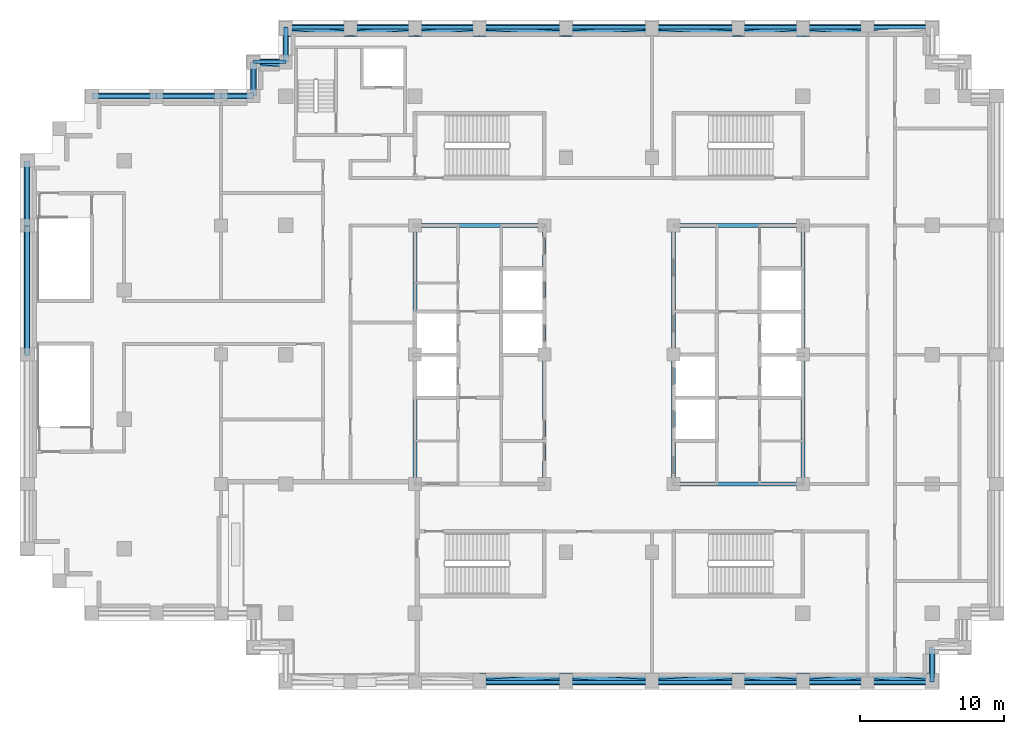
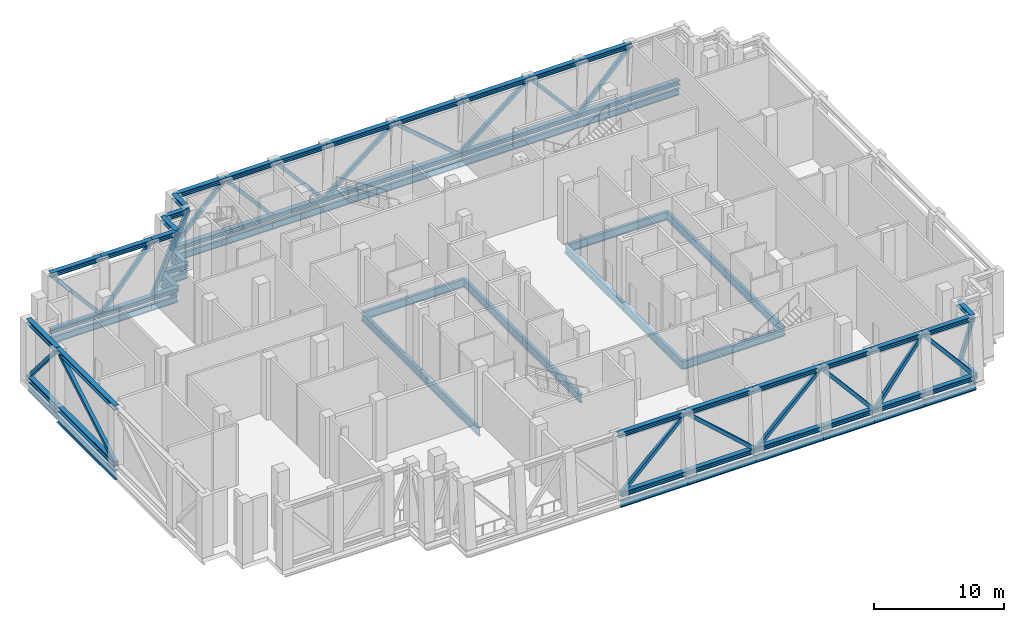
# One storey, part 2 of 10: 70 members, 35 beams.
"""IFC4 building model written with IfcOpenShell, lengths in metres."""

from ifc_helpers import new_model, si_unit, direction, frame, origin, origin_2d, place, context, subcontext, project, spatial, hollow_rectangle, i_section, extrude, material, material_profile, profile_set, type_object, element, save


model = new_model("IFC4")

# Units and contexts
model_context = context("Model", 3, precision=1e-05, world=origin(), true_north=direction((0.0, 1.0)))
body_context = subcontext(model_context, "Body", "Model", "MODEL_VIEW")
ifc_project = project(units=[si_unit("LENGTHUNIT", "METRE"), si_unit("AREAUNIT", "SQUARE_METRE"), si_unit("VOLUMEUNIT", "CUBIC_METRE"), si_unit("PLANEANGLEUNIT", "RADIAN"), si_unit("MASSUNIT", "GRAM", prefix="KILO")], contexts=[model_context])

# Site, building, storey
site_placement = place(None, origin())
site = spatial("IfcSite", under=ifc_project, at=site_placement, CompositionType="ELEMENT")
building_placement = place(site_placement, origin())
building = spatial("IfcBuilding", under=site, at=building_placement, Name="Corbelhall Arena Tower", CompositionType="ELEMENT")
storey_placement = place(building_placement, frame((0.0, 0.0, 236.0)))
storey = spatial("IfcBuildingStorey", under=building, at=storey_placement, Name="L50", CompositionType="ELEMENT", Elevation=236.0)

# Beams
ifc_material_1 = material(Name="Steel ASTM A992 Gr50", Category="steel")
ifc_material_profile_1 = material_profile(ifc_material_1, i_section(OverallWidth=0.2666015625, OverallDepth=0.761962890625, WebThickness=0.014404296875, FlangeThickness=0.021484375, at=origin_2d()))
ifc_profile_set_1 = profile_set([ifc_material_profile_1], Name="Steel ASTM A992 Gr50")
beam_type_1 = type_object("IfcBeamType", Name="ST-BEAM-W30x116", PredefinedType="BEAM", material=ifc_profile_set_1)
for number, where, z_axis, x_axis, name in (
    (1, (-13.5, -9.0, -0.781494140625), (0.0, 1.0, 0.0), (-1.0, 0.0, 0.0), "Beam CEW 1"),
    (2, (-13.5, 0.0, -0.781494140625), (0.0, 1.0, 0.0), (-1.0, 0.0, 0.0), "Beam CEW 2"),
    (3, (-4.5, -9.0, -0.781494140625), (0.0, 1.0, 0.0), (-1.0, 0.0, 0.0), "Beam CEW 3"),
    (4, (-4.5, 0.0, -0.781494140625), (0.0, 1.0, 0.0), (-1.0, 0.0, 0.0), "Beam CEW 4"),
    (5, (-13.5, 9.0, -0.781494140625), (1.0, 0.0, 0.0), (0.0, 1.0, 0.0), "Beam CEW 6"),
    (6, (4.5, -9.0, -0.781494140625), (0.0, 1.0, 0.0), (-1.0, 0.0, 0.0), "Beam CEE 7"),
    (7, (4.5, 0.0, -0.781494140625), (0.0, 1.0, 0.0), (-1.0, 0.0, 0.0), "Beam CEE 8"),
    (8, (13.5, -9.0, -0.781494140625), (0.0, 1.0, 0.0), (-1.0, 0.0, 0.0), "Beam CEE 9"),
    (9, (13.5, 0.0, -0.781494140625), (0.0, 1.0, 0.0), (-1.0, 0.0, 0.0), "Beam CEE 10"),
    (10, (4.5, -9.0, -0.781494140625), (1.0, 0.0, 0.0), (0.0, 1.0, 0.0), "Beam CEE 11"),
    (11, (4.5, 9.0, -0.781494140625), (1.0, 0.0, 0.0), (0.0, 1.0, 0.0), "Beam CEE 12"),
):
    element("IfcBeam", number, at=place(storey_placement, frame(where, z_axis=z_axis, x_axis=x_axis)), inside=storey, type_object=beam_type_1, Name=name, PredefinedType="BEAM", context=body_context, shape_type="SweptSolid", body=[
        extrude(i_section(OverallWidth=0.2666015625, OverallDepth=0.761962890625, WebThickness=0.014404296875, FlangeThickness=0.021484375, at=origin_2d()), origin(), (0.0, 0.0, 1.0), 9.0),
    ])

# Members
ifc_material_2 = material(Name="Steel ASTM A913 Gr65", Category="steel")
ifc_material_profile_2 = material_profile(ifc_material_2, i_section(OverallWidth=0.411376953125, OverallDepth=0.434326171875, WebThickness=0.035888671875, FlangeThickness=0.057373046875, at=origin_2d()))
ifc_profile_set_2 = profile_set([ifc_material_profile_2], Name="Steel ASTM A913 Gr65")
member_type_1 = type_object("IfcMemberType", Name="ST-CHORD-W14x311", PredefinedType="CHORD", material=ifc_profile_set_2)
for number, where, z_axis, x_axis, name in (
    (12, (-40.5, 0.0, 0.21728515625), (0.0, 1.0, 0.0), (-1.0, 0.0, 0.0), "Truss chord BC 1"),
    (13, (-40.5, 0.0, 5.5029296875), (0.0, 1.0, 0.0), (-1.0, 0.0, 0.0), "Truss chord TC 1"),
):
    element("IfcMember", number, at=place(storey_placement, frame(where, z_axis=z_axis, x_axis=x_axis)), inside=storey, type_object=member_type_1, Name=name, PredefinedType="CHORD", context=body_context, shape_type="SweptSolid", body=[
        extrude(i_section(OverallWidth=0.411376953125, OverallDepth=0.434326171875, WebThickness=0.035888671875, FlangeThickness=0.057373046875, at=origin_2d()), origin(), (0.0, 0.0, 1.0), 9.0),
    ])
for number, where, z_axis, x_axis, name in (
    (14, (-40.5, 9.0, 0.21728515625), (0.0, 1.0, 0.0), (-1.0, 0.0, 0.0), "Truss chord BC 2"),
    (15, (-40.5, 9.0, 5.5029296875), (0.0, 1.0, 0.0), (-1.0, 0.0, 0.0), "Truss chord TC 2"),
    (16, (-31.5, 18.0, 0.21728515625), (1.0, 0.0, 0.0), (0.0, 1.0, 0.0), "Truss chord BC 5"),
    (17, (-31.5, 18.0, 5.5029296875), (1.0, 0.0, 0.0), (0.0, 1.0, 0.0), "Truss chord TC 5"),
    (18, (-36.0, 18.0, 0.21728515625), (1.0, 0.0, 0.0), (0.0, 1.0, 0.0), "Truss chord BC 6"),
    (19, (-36.0, 18.0, 5.5029296875), (1.0, 0.0, 0.0), (0.0, 1.0, 0.0), "Truss chord TC 6"),
):
    element("IfcMember", number, at=place(storey_placement, frame(where, z_axis=z_axis, x_axis=x_axis)), inside=storey, type_object=member_type_1, Name=name, PredefinedType="CHORD", context=body_context, shape_type="SweptSolid", body=[
        extrude(i_section(OverallWidth=0.411376953125, OverallDepth=0.434326171875, WebThickness=0.035888671875, FlangeThickness=0.057373046875, at=origin_2d()), origin(), (0.0, 0.0, 1.0), 4.5),
    ])
for number, where, z_axis, x_axis, name in (
    (20, (3.0, 22.782958984375, 0.21728515625), (1.0, 0.0, 0.0), (0.0, 1.0, 0.0), "Truss chord BC 13"),
    (21, (3.0, 22.3671875, 5.5029296875), (1.0, 0.0, 0.0), (0.0, 1.0, 0.0), "Truss chord TC 13"),
):
    element("IfcMember", number, at=place(storey_placement, frame(where, z_axis=z_axis, x_axis=x_axis)), inside=storey, type_object=member_type_1, Name=name, PredefinedType="CHORD", context=body_context, shape_type="SweptSolid", body=[
        extrude(i_section(OverallWidth=0.411376953125, OverallDepth=0.434326171875, WebThickness=0.035888671875, FlangeThickness=0.057373046875, at=origin_2d()), origin(), (0.0, 0.0, 1.0), 6.0),
    ])
for number, where, z_axis, x_axis, name in (
    (22, (9.0, 22.782958984375, 0.21728515625), (1.0, 0.0, 0.0), (0.0, 1.0, 0.0), "Truss chord BC 14"),
    (23, (9.0, 22.3671875, 5.5029296875), (1.0, 0.0, 0.0), (0.0, 1.0, 0.0), "Truss chord TC 14"),
    (24, (13.5, 22.782958984375, 0.21728515625), (1.0, 0.0, 0.0), (0.0, 1.0, 0.0), "Truss chord BC 15"),
    (25, (13.5, 22.3671875, 5.5029296875), (1.0, 0.0, 0.0), (0.0, 1.0, 0.0), "Truss chord TC 15"),
    (26, (18.0, 22.782958984375, 0.21728515625), (1.0, 0.0, 0.0), (0.0, 1.0, 0.0), "Truss chord BC 16"),
):
    element("IfcMember", number, at=place(storey_placement, frame(where, z_axis=z_axis, x_axis=x_axis)), inside=storey, type_object=member_type_1, Name=name, PredefinedType="CHORD", context=body_context, shape_type="SweptSolid", body=[
        extrude(i_section(OverallWidth=0.411376953125, OverallDepth=0.434326171875, WebThickness=0.035888671875, FlangeThickness=0.057373046875, at=origin_2d()), origin(), (0.0, 0.0, 1.0), 4.5),
    ])
for number, where, z_axis, x_axis, name in (
    (27, (-3.0, 22.782958984375, 0.21728515625), (1.0, 0.0, 0.0), (0.0, 1.0, 0.0), "Truss chord BC 18"),
    (28, (-3.0, 22.3671875, 5.5029296875), (1.0, 0.0, 0.0), (0.0, 1.0, 0.0), "Truss chord TC 18"),
    (29, (-9.0, 22.782958984375, 0.21728515625), (1.0, 0.0, 0.0), (0.0, 1.0, 0.0), "Truss chord BC 19"),
    (30, (-9.0, 22.3671875, 5.5029296875), (1.0, 0.0, 0.0), (0.0, 1.0, 0.0), "Truss chord TC 19"),
):
    element("IfcMember", number, at=place(storey_placement, frame(where, z_axis=z_axis, x_axis=x_axis)), inside=storey, type_object=member_type_1, Name=name, PredefinedType="CHORD", context=body_context, shape_type="SweptSolid", body=[
        extrude(i_section(OverallWidth=0.411376953125, OverallDepth=0.434326171875, WebThickness=0.035888671875, FlangeThickness=0.057373046875, at=origin_2d()), origin(), (0.0, 0.0, 1.0), 6.0),
    ])
for number, where, z_axis, x_axis, name in (
    (31, (-13.5, 22.782958984375, 0.21728515625), (1.0, 0.0, 0.0), (0.0, 1.0, 0.0), "Truss chord BC 20"),
    (32, (-13.5, 22.3671875, 5.5029296875), (1.0, 0.0, 0.0), (0.0, 1.0, 0.0), "Truss chord TC 20"),
    (33, (-18.0, 22.782958984375, 0.21728515625), (1.0, 0.0, 0.0), (0.0, 1.0, 0.0), "Truss chord BC 21"),
    (34, (-18.0, 22.3671875, 5.5029296875), (1.0, 0.0, 0.0), (0.0, 1.0, 0.0), "Truss chord TC 21"),
    (35, (-22.5, 22.782958984375, 0.21728515625), (1.0, 0.0, 0.0), (0.0, 1.0, 0.0), "Truss chord BC 22"),
    (36, (-22.5, 22.3671875, 5.5029296875), (1.0, 0.0, 0.0), (0.0, 1.0, 0.0), "Truss chord TC 22"),
):
    element("IfcMember", number, at=place(storey_placement, frame(where, z_axis=z_axis, x_axis=x_axis)), inside=storey, type_object=member_type_1, Name=name, PredefinedType="CHORD", context=body_context, shape_type="SweptSolid", body=[
        extrude(i_section(OverallWidth=0.411376953125, OverallDepth=0.434326171875, WebThickness=0.035888671875, FlangeThickness=0.057373046875, at=origin_2d()), origin(), (0.0, 0.0, 1.0), 4.5),
    ])
for number, where, z_axis, x_axis, name in (
    (37, (3.0, -22.782958984375, 0.21728515625), (-1.0, 0.0, 0.0), (0.0, -1.0, 0.0), "Truss chord BC 23"),
    (38, (3.0, -22.3671875, 5.5029296875), (-1.0, 0.0, 0.0), (0.0, -1.0, 0.0), "Truss chord TC 23"),
    (39, (9.0, -22.782958984375, 0.21728515625), (-1.0, 0.0, 0.0), (0.0, -1.0, 0.0), "Truss chord BC 24"),
    (40, (9.0, -22.3671875, 5.5029296875), (-1.0, 0.0, 0.0), (0.0, -1.0, 0.0), "Truss chord TC 24"),
):
    element("IfcMember", number, at=place(storey_placement, frame(where, z_axis=z_axis, x_axis=x_axis)), inside=storey, type_object=member_type_1, Name=name, PredefinedType="CHORD", context=body_context, shape_type="SweptSolid", body=[
        extrude(i_section(OverallWidth=0.411376953125, OverallDepth=0.434326171875, WebThickness=0.035888671875, FlangeThickness=0.057373046875, at=origin_2d()), origin(), (0.0, 0.0, 1.0), 6.0),
    ])
for number, where, z_axis, x_axis, name in (
    (41, (13.5, -22.782958984375, 0.21728515625), (-1.0, 0.0, 0.0), (0.0, -1.0, 0.0), "Truss chord BC 25"),
    (42, (13.5, -22.3671875, 5.5029296875), (-1.0, 0.0, 0.0), (0.0, -1.0, 0.0), "Truss chord TC 25"),
    (43, (18.0, -22.782958984375, 0.21728515625), (-1.0, 0.0, 0.0), (0.0, -1.0, 0.0), "Truss chord BC 26"),
    (44, (18.0, -22.3671875, 5.5029296875), (-1.0, 0.0, 0.0), (0.0, -1.0, 0.0), "Truss chord TC 26"),
    (45, (22.5, -22.782958984375, 0.21728515625), (-1.0, 0.0, 0.0), (0.0, -1.0, 0.0), "Truss chord BC 27"),
    (46, (22.5, -22.3671875, 5.5029296875), (-1.0, 0.0, 0.0), (0.0, -1.0, 0.0), "Truss chord TC 27"),
):
    element("IfcMember", number, at=place(storey_placement, frame(where, z_axis=z_axis, x_axis=x_axis)), inside=storey, type_object=member_type_1, Name=name, PredefinedType="CHORD", context=body_context, shape_type="SweptSolid", body=[
        extrude(i_section(OverallWidth=0.411376953125, OverallDepth=0.434326171875, WebThickness=0.035888671875, FlangeThickness=0.057373046875, at=origin_2d()), origin(), (0.0, 0.0, 1.0), 4.5),
    ])
for number, where, z_axis, x_axis, name in (
    (47, (-3.0, -22.782958984375, 0.21728515625), (-1.0, 0.0, 0.0), (0.0, -1.0, 0.0), "Truss chord BC 28"),
    (48, (-3.0, -22.3671875, 5.5029296875), (-1.0, 0.0, 0.0), (0.0, -1.0, 0.0), "Truss chord TC 28"),
):
    element("IfcMember", number, at=place(storey_placement, frame(where, z_axis=z_axis, x_axis=x_axis)), inside=storey, type_object=member_type_1, Name=name, PredefinedType="CHORD", context=body_context, shape_type="SweptSolid", body=[
        extrude(i_section(OverallWidth=0.411376953125, OverallDepth=0.434326171875, WebThickness=0.035888671875, FlangeThickness=0.057373046875, at=origin_2d()), origin(), (0.0, 0.0, 1.0), 6.0),
    ])
for number, where, z_axis, x_axis, name in (
    (49, (-27.0, 18.0, 0.21728515625), (1.0, 0.0, 0.0), (0.0, 1.0, 0.0), "Truss chord BC 33"),
    (50, (-27.0, 18.0, 5.5029296875), (1.0, 0.0, 0.0), (0.0, 1.0, 0.0), "Truss chord TC 33"),
):
    element("IfcMember", number, at=place(storey_placement, frame(where, z_axis=z_axis, x_axis=x_axis)), inside=storey, type_object=member_type_1, Name=name, PredefinedType="CHORD", context=body_context, shape_type="SweptSolid", body=[
        extrude(i_section(OverallWidth=0.411376953125, OverallDepth=0.434326171875, WebThickness=0.035888671875, FlangeThickness=0.057373046875, at=origin_2d()), origin(), (0.0, 0.0, 1.0), 2.25),
    ])
member_1_placement = place(storey_placement, frame((-22.5, 20.391357421875, 0.21728515625), z_axis=(0.0, 1.0, 0.0), x_axis=(-1.0, 0.0, 0.0)))
element("IfcMember", 51, at=member_1_placement, inside=storey, type_object=member_type_1, Name="Truss chord BC 38", PredefinedType="CHORD", context=body_context, shape_type="SweptSolid", body=[
    extrude(i_section(OverallWidth=0.411376953125, OverallDepth=0.434326171875, WebThickness=0.035888671875, FlangeThickness=0.057373046875, at=origin_2d()), origin(), (0.0, 0.0, 1.0), 2.3916015625),
])
member_2_placement = place(storey_placement, frame((-22.5, 20.18359375, 5.5029296875), z_axis=(0.0, 1.0, 0.0), x_axis=(-1.0, 0.0, 0.0)))
element("IfcMember", 52, at=member_2_placement, inside=storey, type_object=member_type_1, Name="Truss chord TC 38", PredefinedType="CHORD", context=body_context, shape_type="SweptSolid", body=[
    extrude(i_section(OverallWidth=0.411376953125, OverallDepth=0.434326171875, WebThickness=0.035888671875, FlangeThickness=0.057373046875, at=origin_2d()), origin(), (0.0, 0.0, 1.0), 2.18359375),
])
for number, where, z_axis, x_axis, name in (
    (53, (-24.75, 20.391357421875, 0.21728515625), (1.0, 0.0, 0.0), (0.0, 1.0, 0.0), "Truss chord BC 39"),
    (54, (-24.75, 20.18359375, 5.5029296875), (1.0, 0.0, 0.0), (0.0, 1.0, 0.0), "Truss chord TC 39"),
):
    element("IfcMember", number, at=place(storey_placement, frame(where, z_axis=z_axis, x_axis=x_axis)), inside=storey, type_object=member_type_1, Name=name, PredefinedType="CHORD", context=body_context, shape_type="SweptSolid", body=[
        extrude(i_section(OverallWidth=0.411376953125, OverallDepth=0.434326171875, WebThickness=0.035888671875, FlangeThickness=0.057373046875, at=origin_2d()), origin(), (0.0, 0.0, 1.0), 2.25),
    ])
member_3_placement = place(storey_placement, frame((-24.75, 18.0, 0.21728515625), z_axis=(0.0, 1.0, 0.0), x_axis=(-1.0, 0.0, 0.0)))
element("IfcMember", 55, at=member_3_placement, inside=storey, type_object=member_type_1, Name="Truss chord BC 40", PredefinedType="CHORD", context=body_context, shape_type="SweptSolid", body=[
    extrude(i_section(OverallWidth=0.411376953125, OverallDepth=0.434326171875, WebThickness=0.035888671875, FlangeThickness=0.057373046875, at=origin_2d()), origin(), (0.0, 0.0, 1.0), 2.391357421875),
])
member_4_placement = place(storey_placement, frame((-24.75, 18.0, 5.5029296875), z_axis=(0.0, 1.0, 0.0), x_axis=(-1.0, 0.0, 0.0)))
element("IfcMember", 56, at=member_4_placement, inside=storey, type_object=member_type_1, Name="Truss chord TC 40", PredefinedType="CHORD", context=body_context, shape_type="SweptSolid", body=[
    extrude(i_section(OverallWidth=0.411376953125, OverallDepth=0.434326171875, WebThickness=0.035888671875, FlangeThickness=0.057373046875, at=origin_2d()), origin(), (0.0, 0.0, 1.0), 2.18359375),
])
member_5_placement = place(storey_placement, frame((22.5, -20.391357421875, 0.21728515625), z_axis=(0.0, -1.0, 0.0), x_axis=(1.0, 0.0, 0.0)))
element("IfcMember", 57, at=member_5_placement, inside=storey, type_object=member_type_1, Name="Truss chord BC 41", PredefinedType="CHORD", context=body_context, shape_type="SweptSolid", body=[
    extrude(i_section(OverallWidth=0.411376953125, OverallDepth=0.434326171875, WebThickness=0.035888671875, FlangeThickness=0.057373046875, at=origin_2d()), origin(), (0.0, 0.0, 1.0), 2.3916015625),
])
member_6_placement = place(storey_placement, frame((22.5, -20.18359375, 5.5029296875), z_axis=(0.0, -1.0, 0.0), x_axis=(1.0, 0.0, 0.0)))
element("IfcMember", 58, at=member_6_placement, inside=storey, type_object=member_type_1, Name="Truss chord TC 41", PredefinedType="CHORD", context=body_context, shape_type="SweptSolid", body=[
    extrude(i_section(OverallWidth=0.411376953125, OverallDepth=0.434326171875, WebThickness=0.035888671875, FlangeThickness=0.057373046875, at=origin_2d()), origin(), (0.0, 0.0, 1.0), 2.18359375),
])

# Beams
ifc_material_profile_3 = material_profile(ifc_material_1, i_section(OverallWidth=0.228271484375, OverallDepth=0.607177734375, WebThickness=0.01123046875, FlangeThickness=0.017333984375, at=origin_2d()))
ifc_profile_set_3 = profile_set([ifc_material_profile_3], Name="Steel ASTM A992 Gr50")
beam_type_2 = type_object("IfcBeamType", Name="ST-SPANDREL-W24x76", PredefinedType="SPANDREL", material=ifc_profile_set_3)
for number, where, z_axis, x_axis, name in (
    (59, (-40.5, 9.0, -0.703857421875), (0.0, 1.0, 0.0), (-1.0, 0.0, 0.0), "Beam SP 2"),
    (60, (-31.5, 18.0, -0.703857421875), (1.0, 0.0, 0.0), (0.0, 1.0, 0.0), "Beam SP 5"),
    (61, (-36.0, 18.0, -0.703857421875), (1.0, 0.0, 0.0), (0.0, 1.0, 0.0), "Beam SP 6"),
):
    element("IfcBeam", number, at=place(storey_placement, frame(where, z_axis=z_axis, x_axis=x_axis)), inside=storey, type_object=beam_type_2, Name=name, PredefinedType="SPANDREL", context=body_context, shape_type="SweptSolid", body=[
        extrude(i_section(OverallWidth=0.228271484375, OverallDepth=0.607177734375, WebThickness=0.01123046875, FlangeThickness=0.017333984375, at=origin_2d()), origin(), (0.0, 0.0, 1.0), 4.5),
    ])
beam_1_placement = place(storey_placement, frame((3.0, 22.800048828125, -0.703857421875), z_axis=(1.0, 0.0, 0.0), x_axis=(0.0, 1.0, 0.0)))
element("IfcBeam", 62, at=beam_1_placement, inside=storey, type_object=beam_type_2, Name="Beam SP 13", PredefinedType="SPANDREL", context=body_context, shape_type="SweptSolid", body=[
    extrude(i_section(OverallWidth=0.228271484375, OverallDepth=0.607177734375, WebThickness=0.01123046875, FlangeThickness=0.017333984375, at=origin_2d()), origin(), (0.0, 0.0, 1.0), 6.0),
])
for number, where, z_axis, x_axis, name in (
    (63, (9.0, 22.800048828125, -0.703857421875), (1.0, 0.0, 0.0), (0.0, 1.0, 0.0), "Beam SP 14"),
    (64, (13.5, 22.800048828125, -0.703857421875), (1.0, 0.0, 0.0), (0.0, 1.0, 0.0), "Beam SP 15"),
    (65, (18.0, 22.800048828125, -0.703857421875), (1.0, 0.0, 0.0), (0.0, 1.0, 0.0), "Beam SP 16"),
):
    element("IfcBeam", number, at=place(storey_placement, frame(where, z_axis=z_axis, x_axis=x_axis)), inside=storey, type_object=beam_type_2, Name=name, PredefinedType="SPANDREL", context=body_context, shape_type="SweptSolid", body=[
        extrude(i_section(OverallWidth=0.228271484375, OverallDepth=0.607177734375, WebThickness=0.01123046875, FlangeThickness=0.017333984375, at=origin_2d()), origin(), (0.0, 0.0, 1.0), 4.5),
    ])
for number, where, z_axis, x_axis, name in (
    (66, (-3.0, 22.800048828125, -0.703857421875), (1.0, 0.0, 0.0), (0.0, 1.0, 0.0), "Beam SP 18"),
    (67, (-9.0, 22.800048828125, -0.703857421875), (1.0, 0.0, 0.0), (0.0, 1.0, 0.0), "Beam SP 19"),
):
    element("IfcBeam", number, at=place(storey_placement, frame(where, z_axis=z_axis, x_axis=x_axis)), inside=storey, type_object=beam_type_2, Name=name, PredefinedType="SPANDREL", context=body_context, shape_type="SweptSolid", body=[
        extrude(i_section(OverallWidth=0.228271484375, OverallDepth=0.607177734375, WebThickness=0.01123046875, FlangeThickness=0.017333984375, at=origin_2d()), origin(), (0.0, 0.0, 1.0), 6.0),
    ])
for number, where, z_axis, x_axis, name in (
    (68, (-13.5, 22.800048828125, -0.703857421875), (1.0, 0.0, 0.0), (0.0, 1.0, 0.0), "Beam SP 20"),
    (69, (-18.0, 22.800048828125, -0.703857421875), (1.0, 0.0, 0.0), (0.0, 1.0, 0.0), "Beam SP 21"),
    (70, (-22.5, 22.800048828125, -0.703857421875), (1.0, 0.0, 0.0), (0.0, 1.0, 0.0), "Beam SP 22"),
):
    element("IfcBeam", number, at=place(storey_placement, frame(where, z_axis=z_axis, x_axis=x_axis)), inside=storey, type_object=beam_type_2, Name=name, PredefinedType="SPANDREL", context=body_context, shape_type="SweptSolid", body=[
        extrude(i_section(OverallWidth=0.228271484375, OverallDepth=0.607177734375, WebThickness=0.01123046875, FlangeThickness=0.017333984375, at=origin_2d()), origin(), (0.0, 0.0, 1.0), 4.5),
    ])
for number, where, z_axis, x_axis, name in (
    (71, (3.0, -22.800048828125, -0.703857421875), (-1.0, 0.0, 0.0), (0.0, -1.0, 0.0), "Beam SP 23"),
    (72, (9.0, -22.800048828125, -0.703857421875), (-1.0, 0.0, 0.0), (0.0, -1.0, 0.0), "Beam SP 24"),
):
    element("IfcBeam", number, at=place(storey_placement, frame(where, z_axis=z_axis, x_axis=x_axis)), inside=storey, type_object=beam_type_2, Name=name, PredefinedType="SPANDREL", context=body_context, shape_type="SweptSolid", body=[
        extrude(i_section(OverallWidth=0.228271484375, OverallDepth=0.607177734375, WebThickness=0.01123046875, FlangeThickness=0.017333984375, at=origin_2d()), origin(), (0.0, 0.0, 1.0), 6.0),
    ])
for number, where, z_axis, x_axis, name in (
    (73, (13.5, -22.800048828125, -0.703857421875), (-1.0, 0.0, 0.0), (0.0, -1.0, 0.0), "Beam SP 25"),
    (74, (18.0, -22.800048828125, -0.703857421875), (-1.0, 0.0, 0.0), (0.0, -1.0, 0.0), "Beam SP 26"),
    (75, (22.5, -22.800048828125, -0.703857421875), (-1.0, 0.0, 0.0), (0.0, -1.0, 0.0), "Beam SP 27"),
):
    element("IfcBeam", number, at=place(storey_placement, frame(where, z_axis=z_axis, x_axis=x_axis)), inside=storey, type_object=beam_type_2, Name=name, PredefinedType="SPANDREL", context=body_context, shape_type="SweptSolid", body=[
        extrude(i_section(OverallWidth=0.228271484375, OverallDepth=0.607177734375, WebThickness=0.01123046875, FlangeThickness=0.017333984375, at=origin_2d()), origin(), (0.0, 0.0, 1.0), 4.5),
    ])
beam_2_placement = place(storey_placement, frame((-3.0, -22.800048828125, -0.703857421875), z_axis=(-1.0, 0.0, 0.0), x_axis=(0.0, -1.0, 0.0)))
element("IfcBeam", 76, at=beam_2_placement, inside=storey, type_object=beam_type_2, Name="Beam SP 28", PredefinedType="SPANDREL", context=body_context, shape_type="SweptSolid", body=[
    extrude(i_section(OverallWidth=0.228271484375, OverallDepth=0.607177734375, WebThickness=0.01123046875, FlangeThickness=0.017333984375, at=origin_2d()), origin(), (0.0, 0.0, 1.0), 6.0),
])
beam_3_placement = place(storey_placement, frame((-27.0, 18.0, -0.703857421875), z_axis=(1.0, 0.0, 0.0), x_axis=(0.0, 1.0, 0.0)))
element("IfcBeam", 77, at=beam_3_placement, inside=storey, type_object=beam_type_2, Name="Beam SP 33", PredefinedType="SPANDREL", context=body_context, shape_type="SweptSolid", body=[
    extrude(i_section(OverallWidth=0.228271484375, OverallDepth=0.607177734375, WebThickness=0.01123046875, FlangeThickness=0.017333984375, at=origin_2d()), origin(), (0.0, 0.0, 1.0), 2.25),
])
beam_4_placement = place(storey_placement, frame((-22.5, 20.39990234375, -0.703857421875), z_axis=(0.0, 1.0, 0.0), x_axis=(-1.0, 0.0, 0.0)))
element("IfcBeam", 78, at=beam_4_placement, inside=storey, type_object=beam_type_2, Name="Beam SP 38", PredefinedType="SPANDREL", context=body_context, shape_type="SweptSolid", body=[
    extrude(i_section(OverallWidth=0.228271484375, OverallDepth=0.607177734375, WebThickness=0.01123046875, FlangeThickness=0.017333984375, at=origin_2d()), origin(), (0.0, 0.0, 1.0), 2.400146484375),
])
beam_5_placement = place(storey_placement, frame((-24.75, 20.39990234375, -0.703857421875), z_axis=(1.0, 0.0, 0.0), x_axis=(0.0, 1.0, 0.0)))
element("IfcBeam", 79, at=beam_5_placement, inside=storey, type_object=beam_type_2, Name="Beam SP 39", PredefinedType="SPANDREL", context=body_context, shape_type="SweptSolid", body=[
    extrude(i_section(OverallWidth=0.228271484375, OverallDepth=0.607177734375, WebThickness=0.01123046875, FlangeThickness=0.017333984375, at=origin_2d()), origin(), (0.0, 0.0, 1.0), 2.25),
])
beam_6_placement = place(storey_placement, frame((-24.75, 18.0, -0.703857421875), z_axis=(0.0, 1.0, 0.0), x_axis=(-1.0, 0.0, 0.0)))
element("IfcBeam", 80, at=beam_6_placement, inside=storey, type_object=beam_type_2, Name="Beam SP 40", PredefinedType="SPANDREL", context=body_context, shape_type="SweptSolid", body=[
    extrude(i_section(OverallWidth=0.228271484375, OverallDepth=0.607177734375, WebThickness=0.01123046875, FlangeThickness=0.017333984375, at=origin_2d()), origin(), (0.0, 0.0, 1.0), 2.39990234375),
])
beam_7_placement = place(storey_placement, frame((22.5, -20.39990234375, -0.703857421875), z_axis=(0.0, -1.0, 0.0), x_axis=(1.0, 0.0, 0.0)))
element("IfcBeam", 81, at=beam_7_placement, inside=storey, type_object=beam_type_2, Name="Beam SP 41", PredefinedType="SPANDREL", context=body_context, shape_type="SweptSolid", body=[
    extrude(i_section(OverallWidth=0.228271484375, OverallDepth=0.607177734375, WebThickness=0.01123046875, FlangeThickness=0.017333984375, at=origin_2d()), origin(), (0.0, 0.0, 1.0), 2.400146484375),
])
ifc_material_profile_4 = material_profile(ifc_material_1, i_section(OverallWidth=0.2919921875, OverallDepth=0.845703125, WebThickness=0.015380859375, FlangeThickness=0.0244140625, at=origin_2d()))
ifc_profile_set_4 = profile_set([ifc_material_profile_4], Name="Steel ASTM A992 Gr50")
beam_type_3 = type_object("IfcBeamType", Name="ST-SPANDREL-W33x141", PredefinedType="SPANDREL", material=ifc_profile_set_4)
beam_8_placement = place(storey_placement, frame((-40.5, 0.0, -0.8232421875), z_axis=(0.0, 1.0, 0.0), x_axis=(-1.0, 0.0, 0.0)))
element("IfcBeam", 82, at=beam_8_placement, inside=storey, type_object=beam_type_3, Name="Beam SP 1", PredefinedType="SPANDREL", context=body_context, shape_type="SweptSolid", body=[
    extrude(i_section(OverallWidth=0.2919921875, OverallDepth=0.845703125, WebThickness=0.015380859375, FlangeThickness=0.0244140625, at=origin_2d()), origin(), (0.0, 0.0, 1.0), 9.0),
])

# Members
ifc_material_3 = material(Name="Steel ASTM A500 Gr C", Category="steel")
ifc_material_profile_5 = material_profile(ifc_material_3, hollow_rectangle(XDim=0.3046875, YDim=0.3046875, WallThickness=0.0146484375, at=origin_2d()))
ifc_profile_set_5 = profile_set([ifc_material_profile_5], Name="Steel ASTM A500 Gr C")
member_type_2 = type_object("IfcMemberType", Name="ST-STRUT-HSS12x12x5/8", PredefinedType="STRUT", material=ifc_profile_set_5)
member_7_placement = place(storey_placement, frame((-40.5, 0.0, 0.21728515625), z_axis=(0.0, 0.862288778887, 0.506416885387), x_axis=(-1.0, 0.0, 0.0)))
element("IfcMember", 83, at=member_7_placement, inside=storey, type_object=member_type_2, Name="Truss diagonal 1", PredefinedType="STRUT", context=body_context, shape_type="SweptSolid", body=[
    extrude(hollow_rectangle(XDim=0.3046875, YDim=0.3046875, WallThickness=0.0146484375, at=origin_2d()), origin(), (0.0, 0.0, 1.0), 10.437255859375),
])
for number, where, z_axis, x_axis, name in (
    (84, (-40.5, 13.5, 0.21728515625), (0.0, -0.648250545956, 0.761427100692), (1.0, 0.0, 0.0), "Truss diagonal 2"),
    (85, (-31.5, 18.0, 0.21728515625), (0.648250545956, 0.0, 0.761427100692), (0.0, 1.0, 0.0), "Truss diagonal 5"),
    (86, (-31.5, 18.0, 0.21728515625), (-0.648250545956, 0.0, 0.761427100692), (0.0, -1.0, 0.0), "Truss diagonal 6"),
):
    element("IfcMember", number, at=place(storey_placement, frame(where, z_axis=z_axis, x_axis=x_axis)), inside=storey, type_object=member_type_2, Name=name, PredefinedType="STRUT", context=body_context, shape_type="SweptSolid", body=[
        extrude(hollow_rectangle(XDim=0.3046875, YDim=0.3046875, WallThickness=0.0146484375, at=origin_2d()), origin(), (0.0, 0.0, 1.0), 6.941650390625),
    ])
member_8_placement = place(storey_placement, frame((3.0, 22.782958984375, 0.21728515625), z_axis=(0.749351014989, -0.05192646397, 0.66013384906), x_axis=(0.069129472132, 0.997607696483, 0.0)))
element("IfcMember", 87, at=member_8_placement, inside=storey, type_object=member_type_2, Name="Truss diagonal 13", PredefinedType="STRUT", context=body_context, shape_type="SweptSolid", body=[
    extrude(hollow_rectangle(XDim=0.3046875, YDim=0.3046875, WallThickness=0.0146484375, at=origin_2d()), origin(), (0.0, 0.0, 1.0), 8.0068359375),
])
for number, where, z_axis, x_axis, name in (
    (88, (13.5, 22.782958984375, 0.21728515625), (-0.647090923806, -0.05978710087, 0.760065022809), (0.09200180689, -0.995758840046, 0.0), "Truss diagonal 14"),
    (89, (13.5, 22.782958984375, 0.21728515625), (0.647090923806, -0.05978710087, 0.760065022809), (0.09200180689, 0.995758840046, 0.0), "Truss diagonal 15"),
):
    element("IfcMember", number, at=place(storey_placement, frame(where, z_axis=z_axis, x_axis=x_axis)), inside=storey, type_object=member_type_2, Name=name, PredefinedType="STRUT", context=body_context, shape_type="SweptSolid", body=[
        extrude(hollow_rectangle(XDim=0.3046875, YDim=0.3046875, WallThickness=0.0146484375, at=origin_2d()), origin(), (0.0, 0.0, 1.0), 6.9541015625),
    ])
for number, where, z_axis, x_axis, name in (
    (90, (3.0, 22.782958984375, 0.21728515625), (-0.749351014989, -0.05192646397, 0.66013384906), (0.069129472132, -0.997607696483, 0.0), "Truss diagonal 18"),
    (91, (-9.0, 22.782958984375, 0.21728515625), (0.749351014989, -0.05192646397, 0.66013384906), (0.069129472132, 0.997607696483, 0.0), "Truss diagonal 19"),
):
    element("IfcMember", number, at=place(storey_placement, frame(where, z_axis=z_axis, x_axis=x_axis)), inside=storey, type_object=member_type_2, Name=name, PredefinedType="STRUT", context=body_context, shape_type="SweptSolid", body=[
        extrude(hollow_rectangle(XDim=0.3046875, YDim=0.3046875, WallThickness=0.0146484375, at=origin_2d()), origin(), (0.0, 0.0, 1.0), 8.0068359375),
    ])
for number, where, z_axis, x_axis, name in (
    (92, (-9.0, 22.782958984375, 0.21728515625), (-0.647090923806, -0.05978710087, 0.760065022809), (0.09200180689, -0.995758840046, 0.0), "Truss diagonal 20"),
    (93, (-13.5, 22.782958984375, 0.21728515625), (-0.647090923806, -0.05978710087, 0.760065022809), (0.09200180689, -0.995758840046, 0.0), "Truss diagonal 21"),
    (94, (-22.5, 22.782958984375, 0.21728515625), (0.647090923806, -0.05978710087, 0.760065022809), (0.09200180689, 0.995758840046, 0.0), "Truss diagonal 22"),
):
    element("IfcMember", number, at=place(storey_placement, frame(where, z_axis=z_axis, x_axis=x_axis)), inside=storey, type_object=member_type_2, Name=name, PredefinedType="STRUT", context=body_context, shape_type="SweptSolid", body=[
        extrude(hollow_rectangle(XDim=0.3046875, YDim=0.3046875, WallThickness=0.0146484375, at=origin_2d()), origin(), (0.0, 0.0, 1.0), 6.9541015625),
    ])
for number, where, z_axis, x_axis, name in (
    (95, (3.0, -22.782958984375, 0.21728515625), (-0.749351014989, 0.05192646397, 0.66013384906), (-0.069129472132, -0.997607696483, 0.0), "Truss diagonal 23"),
    (96, (3.0, -22.782958984375, 0.21728515625), (0.749351014989, 0.05192646397, 0.66013384906), (-0.069129472132, 0.997607696483, 0.0), "Truss diagonal 24"),
):
    element("IfcMember", number, at=place(storey_placement, frame(where, z_axis=z_axis, x_axis=x_axis)), inside=storey, type_object=member_type_2, Name=name, PredefinedType="STRUT", context=body_context, shape_type="SweptSolid", body=[
        extrude(hollow_rectangle(XDim=0.3046875, YDim=0.3046875, WallThickness=0.0146484375, at=origin_2d()), origin(), (0.0, 0.0, 1.0), 8.0068359375),
    ])
for number, where, z_axis, x_axis, name in (
    (97, (13.5, -22.782958984375, 0.21728515625), (-0.647090923806, 0.05978710087, 0.760065022809), (-0.09200180689, -0.995758840046, 0.0), "Truss diagonal 25"),
    (98, (13.5, -22.782958984375, 0.21728515625), (0.647090923806, 0.05978710087, 0.760065022809), (-0.09200180689, 0.995758840046, 0.0), "Truss diagonal 26"),
    (99, (22.5, -22.782958984375, 0.21728515625), (-0.647090923806, 0.05978710087, 0.760065022809), (-0.09200180689, -0.995758840046, 0.0), "Truss diagonal 27"),
):
    element("IfcMember", number, at=place(storey_placement, frame(where, z_axis=z_axis, x_axis=x_axis)), inside=storey, type_object=member_type_2, Name=name, PredefinedType="STRUT", context=body_context, shape_type="SweptSolid", body=[
        extrude(hollow_rectangle(XDim=0.3046875, YDim=0.3046875, WallThickness=0.0146484375, at=origin_2d()), origin(), (0.0, 0.0, 1.0), 6.9541015625),
    ])
member_9_placement = place(storey_placement, frame((-9.0, -22.782958984375, 0.21728515625), z_axis=(0.749351014989, 0.05192646397, 0.66013384906), x_axis=(-0.069129472132, 0.997607696483, 0.0)))
element("IfcMember", 100, at=member_9_placement, inside=storey, type_object=member_type_2, Name="Truss diagonal 28", PredefinedType="STRUT", context=body_context, shape_type="SweptSolid", body=[
    extrude(hollow_rectangle(XDim=0.3046875, YDim=0.3046875, WallThickness=0.0146484375, at=origin_2d()), origin(), (0.0, 0.0, 1.0), 8.0068359375),
])
member_10_placement = place(storey_placement, frame((-27.0, 18.0, 0.21728515625), z_axis=(0.39167153254, 0.0, 0.920105108451), x_axis=(0.0, 1.0, 0.0)))
element("IfcMember", 101, at=member_10_placement, inside=storey, type_object=member_type_2, Name="Truss diagonal 33", PredefinedType="STRUT", context=body_context, shape_type="SweptSolid", body=[
    extrude(hollow_rectangle(XDim=0.3046875, YDim=0.3046875, WallThickness=0.0146484375, at=origin_2d()), origin(), (0.0, 0.0, 1.0), 5.74462890625),
])
member_11_placement = place(storey_placement, frame((-22.5, 22.782958984375, 0.21728515625), z_axis=(0.0, -0.441301599608, 0.897358845827), x_axis=(1.0, 0.0, 0.0)))
element("IfcMember", 102, at=member_11_placement, inside=storey, type_object=member_type_2, Name="Truss diagonal 38", PredefinedType="STRUT", context=body_context, shape_type="SweptSolid", body=[
    extrude(hollow_rectangle(XDim=0.3046875, YDim=0.3046875, WallThickness=0.0146484375, at=origin_2d()), origin(), (0.0, 0.0, 1.0), 5.89013671875),
])
member_12_placement = place(storey_placement, frame((-24.75, 20.391357421875, 0.21728515625), z_axis=(0.391415624214, -0.036143087696, 0.91950393492), x_axis=(0.091948240388, 0.995763787798, 0.0)))
element("IfcMember", 103, at=member_12_placement, inside=storey, type_object=member_type_2, Name="Truss diagonal 39", PredefinedType="STRUT", context=body_context, shape_type="SweptSolid", body=[
    extrude(hollow_rectangle(XDim=0.3046875, YDim=0.3046875, WallThickness=0.0146484375, at=origin_2d()), origin(), (0.0, 0.0, 1.0), 5.748291015625),
])
member_13_placement = place(storey_placement, frame((-24.75, 20.391357421875, 0.21728515625), z_axis=(0.0, -0.412201139756, 0.911092871437), x_axis=(1.0, 0.0, 0.0)))
element("IfcMember", 104, at=member_13_placement, inside=storey, type_object=member_type_2, Name="Truss diagonal 40", PredefinedType="STRUT", context=body_context, shape_type="SweptSolid", body=[
    extrude(hollow_rectangle(XDim=0.3046875, YDim=0.3046875, WallThickness=0.0146484375, at=origin_2d()), origin(), (0.0, 0.0, 1.0), 5.801513671875),
])
member_14_placement = place(storey_placement, frame((22.5, -20.391357421875, 0.21728515625), z_axis=(0.0, -0.350146520337, 0.936694941961), x_axis=(1.0, 0.0, 0.0)))
element("IfcMember", 105, at=member_14_placement, inside=storey, type_object=member_type_2, Name="Truss diagonal 41", PredefinedType="STRUT", context=body_context, shape_type="SweptSolid", body=[
    extrude(hollow_rectangle(XDim=0.3046875, YDim=0.3046875, WallThickness=0.0146484375, at=origin_2d()), origin(), (0.0, 0.0, 1.0), 5.642822265625),
])

save(model, "model.ifc")
